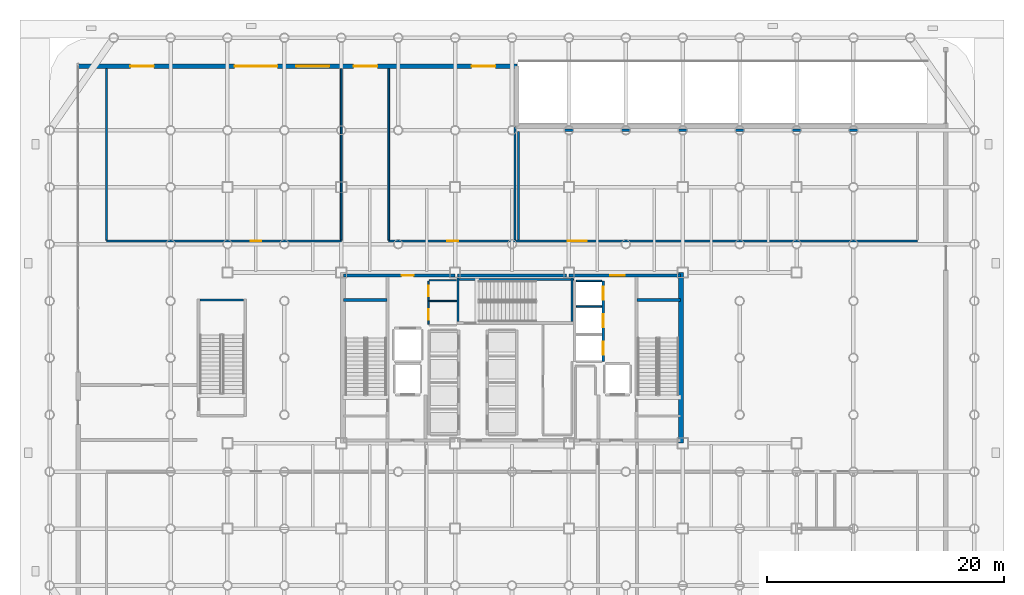
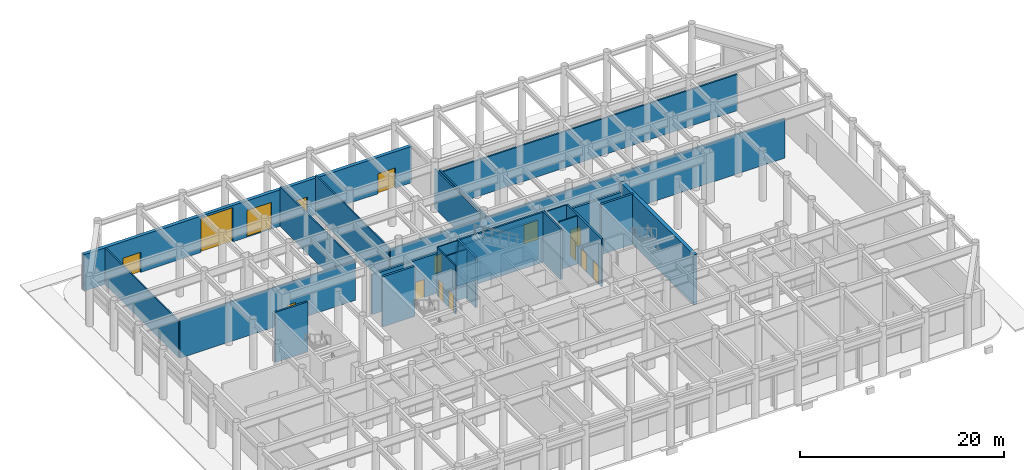
# One storey, part 18 of 23: 25 walls, 15 doors, 15 openings.
"""IFC4 building model written with IfcOpenShell, lengths in metres."""

from ifc_helpers import new_model, si_unit, direction, frame, frame_2d, origin, place, context, subcontext, project, spatial, rectangle, extrude, material, layer, layer_set, type_object, element, fill, save


model = new_model("IFC4")

# Units and contexts
model_context = context("Model", 3, precision=1e-05, world=origin(), true_north=direction((0.0, 1.0)))
body_context = subcontext(model_context, "Body", "Model", "MODEL_VIEW")
ifc_project = project(units=[si_unit("LENGTHUNIT", "METRE"), si_unit("AREAUNIT", "SQUARE_METRE"), si_unit("VOLUMEUNIT", "CUBIC_METRE"), si_unit("PLANEANGLEUNIT", "RADIAN"), si_unit("MASSUNIT", "GRAM", prefix="KILO")], contexts=[model_context])

# Site, building, storey
site_placement = place(None, origin())
site = spatial("IfcSite", under=ifc_project, at=site_placement, CompositionType="ELEMENT")
building_placement = place(site_placement, origin())
building = spatial("IfcBuilding", under=site, at=building_placement, Name="Kallvorn Hotel Tower", CompositionType="ELEMENT")
storey_placement = place(building_placement, origin())
storey = spatial("IfcBuildingStorey", under=building, at=storey_placement, Name="L00", CompositionType="ELEMENT", Elevation=0.0)

# Wall
ifc_material_1 = material(Name="Concrete C50/60", Category="concrete")
ifc_layer_1 = layer(ifc_material_1, 0.39990234375)
ifc_layer_set_1 = layer_set([ifc_layer_1], Name="WL_CORE_400")
wall_type_1 = type_object("IfcWallType", Name="WL_CORE_400", PredefinedType="SHEAR", material=ifc_layer_set_1)
wall_1_placement = place(storey_placement, frame((14.264892578125, -7.199951171875, -0.25), z_axis=(0.0, 0.0, 1.0), x_axis=(0.0, 1.0, 0.0)))
element("IfcWall", 1, at=wall_1_placement, inside=storey, type_object=wall_type_1, Name="L00 Core East Shear Wall", PredefinedType="SHEAR", context=body_context, shape_type="SweptSolid", body=[
    extrude(rectangle(XDim=14.39990234375, YDim=0.39990234375, at=frame_2d((7.199951171875, 0.0))), origin(), (0.0, 0.0, 1.0), 6.0),
])

# Wall, openings, doors
ifc_material_2 = material(Name="Fire-rated double-layer acoustic gypsum drywall EI 60")
ifc_layer_2 = layer(ifc_material_2, 0.179931640625)
ifc_layer_set_2 = layer_set([ifc_layer_2], Name="WL_CORR_180")
wall_type_2 = type_object("IfcWallType", Name="WL_CORR_180", PredefinedType="PARTITIONING", material=ifc_layer_set_2)
wall_2_placement = place(storey_placement, frame((-10.39990234375, 9.85009765625, 0.0), z_axis=(0.0, 0.0, 1.0), x_axis=(1.0, 0.0, 0.0)))
wall_2 = element("IfcWall", 2, at=wall_2_placement, inside=storey, type_object=wall_type_2, Name="L00 Observatory Express Ticketing Concourse Partition", PredefinedType="PARTITIONING", context=body_context, shape_type="SweptSolid", body=[
    extrude(rectangle(XDim=44.599853515625, YDim=0.179931640625, at=frame_2d((22.2998046875, 0.0))), origin(), (0.0, 0.0, 1.0), 4.75),
])
opening_1_placement = place(wall_2_placement, frame((15.10009765625, 0.0, 0.0)))
opening_1 = element("IfcOpeningElement", 3, at=opening_1_placement, cuts=wall_2, Name="Opening HD1", PredefinedType="OPENING", context=body_context, shape_type="SweptSolid", body=[
    extrude(rectangle(XDim=1.60009765625, YDim=2.300048828125, at=frame_2d((0.800048828125, 1.14990234375))), frame((0.0, 0.104736328125, 0.0), z_axis=(0.0, -1.0, 0.0), x_axis=(1.0, 0.0, 0.0)), (0.0, 0.0, 1.0), 0.2099609375),
])
opening_2_placement = place(wall_2_placement, frame((4.949951171875, 0.0, 0.0)))
opening_2 = element("IfcOpeningElement", 4, at=opening_2_placement, cuts=wall_2, Name="Opening SVD1", PredefinedType="OPENING", context=body_context, shape_type="SweptSolid", body=[
    extrude(rectangle(XDim=0.89990234375, YDim=2.10009765625, at=frame_2d((0.449951171875, 1.050048828125))), frame((0.0, 0.104736328125, 0.0), z_axis=(0.0, -1.0, 0.0), x_axis=(1.0, 0.0, 0.0)), (0.0, 0.0, 1.0), 0.2099609375),
])
ifc_material_3 = material(Name="Solid-core walnut veneer fire-rated timber door leaf", Category="wood")
door_type_1 = type_object("IfcDoorType", Name="DR_HALL_1600x2300", OperationType="DOUBLE_DOOR_SINGLE_SWING", PredefinedType="DOOR", material=ifc_material_3)
door_1_placement = place(opening_1_placement, origin())
door_1 = element("IfcDoor", 5, at=door_1_placement, inside=storey, type_object=door_type_1, Name="L00 Observatory Express Ticketing Concourse Door", OperationType="DOUBLE_DOOR_SINGLE_SWING", OverallHeight=2.300048828125, OverallWidth=1.60009765625, PredefinedType="DOOR", context=body_context, shape_type="SweptSolid", body=[
    extrude(rectangle(XDim=1.60009765625, YDim=2.300048828125, at=frame_2d((0.800048828125, 1.14990234375))), frame((0.0, 0.02490234375, 0.0), z_axis=(0.0, -1.0, 0.0), x_axis=(1.0, 0.0, 0.0)), (0.0, 0.0, 1.0), 0.050048828125),
])
fill(opening_1, door_1)
ifc_material_4 = material(Name="Galvanised painted steel fire-rated door assembly", Category="steel")
door_type_2 = type_object("IfcDoorType", Name="DR_SERV_900x2100", OperationType="NOTDEFINED", PredefinedType="DOOR", material=ifc_material_4)
door_2_placement = place(opening_2_placement, origin())
door_2 = element("IfcDoor", 6, at=door_2_placement, inside=storey, type_object=door_type_2, Name="L00 Luggage Concierge and Bell Desk Salon Door", OperationType="SINGLE_SWING_RIGHT", OverallHeight=2.10009765625, OverallWidth=0.89990234375, PredefinedType="DOOR", context=body_context, shape_type="SweptSolid", body=[
    extrude(rectangle(XDim=0.89990234375, YDim=2.10009765625, at=frame_2d((0.449951171875, 1.050048828125))), frame((0.0, 0.02490234375, 0.0), z_axis=(0.0, -1.0, 0.0), x_axis=(1.0, 0.0, 0.0)), (0.0, 0.0, 1.0), 0.050048828125),
])
fill(opening_2, door_2)

# Walls
wall_3_placement = place(storey_placement, frame((0.550048828125, 19.199951171875, 0.0), z_axis=(0.0, 0.0, 1.0), x_axis=(1.0, 0.0, 0.0)))
element("IfcWall", 7, at=wall_3_placement, inside=storey, type_object=wall_type_2, Name="L00 Observatory Express Ticketing Concourse Partition", PredefinedType="PARTITIONING", context=body_context, shape_type="SweptSolid", body=[
    extrude(rectangle(XDim=33.64990234375, YDim=0.179931640625, at=frame_2d((16.824951171875, 0.0))), origin(), (0.0, 0.0, 1.0), 4.35009765625),
])
wall_4_placement = place(storey_placement, frame((0.550048828125, 9.93505859375, 0.0), z_axis=(0.0, 0.0, 1.0), x_axis=(0.0, 1.0, 0.0)))
element("IfcWall", 8, at=wall_4_placement, inside=storey, type_object=wall_type_2, Name="L00 Observatory Express Ticketing Concourse Partition", PredefinedType="PARTITIONING", context=body_context, shape_type="SweptSolid", body=[
    extrude(rectangle(XDim=9.1650390625, YDim=0.179931640625, at=frame_2d((4.58251953125, 0.0))), origin(), (0.0, 0.0, 1.0), 4.75),
])

# Wall, openings, doors
ifc_material_5 = material(Name="Precast basalt-clad insulated concrete wall C40/50", Category="masonry")
ifc_layer_3 = layer(ifc_material_5, 0.3798828125)
ifc_layer_set_3 = layer_set([ifc_layer_3], Name="WL_EXT_PODIUM_380")
wall_type_3 = type_object("IfcWallType", Name="WL_EXT_PODIUM_380", PredefinedType="SOLIDWALL", material=ifc_layer_set_3)
wall_5_placement = place(storey_placement, frame((-36.60009765625, 24.60009765625, 0.0), z_axis=(0.0, 0.0, 1.0), x_axis=(1.0, 0.0, 0.0)))
wall_5 = element("IfcWall", 9, at=wall_5_placement, inside=storey, type_object=wall_type_3, Name="L00 North Concourse and Service Wall", PredefinedType="SOLIDWALL", context=body_context, shape_type="SweptSolid", body=[
    extrude(rectangle(XDim=37.02001953125, YDim=0.3798828125, at=frame_2d((18.510009765625, 0.0))), origin(), (0.0, 0.0, 1.0), 4.35009765625),
])
opening_3_placement = place(wall_5_placement, frame((23.25, 0.0, 0.0)))
opening_3 = element("IfcOpeningElement", 10, at=opening_3_placement, cuts=wall_5, Name="Opening ED06", PredefinedType="OPENING", context=body_context, shape_type="SweptSolid", body=[
    extrude(rectangle(XDim=2.0, YDim=2.39990234375, at=frame_2d((1.0, 1.199951171875))), frame((0.0, 0.204833984375, 0.0), z_axis=(0.0, -1.0, 0.0), x_axis=(1.0, 0.0, 0.0)), (0.0, 0.0, 1.0), 0.409912109375),
])
opening_4_placement = place(wall_5_placement, frame((4.39990234375, 0.0, 0.0)))
opening_4 = element("IfcOpeningElement", 11, at=opening_4_placement, cuts=wall_5, Name="Opening ED07", PredefinedType="OPENING", context=body_context, shape_type="SweptSolid", body=[
    extrude(rectangle(XDim=2.0, YDim=2.39990234375, at=frame_2d((1.0, 1.199951171875))), frame((0.0, 0.204833984375, 0.0), z_axis=(0.0, -1.0, 0.0), x_axis=(1.0, 0.0, 0.0)), (0.0, 0.0, 1.0), 0.409912109375),
])
opening_5_placement = place(wall_5_placement, frame((33.199951171875, 0.0, 0.0)))
opening_5 = element("IfcOpeningElement", 12, at=opening_5_placement, cuts=wall_5, Name="Opening ED08", PredefinedType="OPENING", context=body_context, shape_type="SweptSolid", body=[
    extrude(rectangle(XDim=2.0, YDim=2.39990234375, at=frame_2d((1.0, 1.199951171875))), frame((0.0, 0.204833984375, 0.0), z_axis=(0.0, -1.0, 0.0), x_axis=(1.0, 0.0, 0.0)), (0.0, 0.0, 1.0), 0.409912109375),
])
opening_6_placement = place(wall_5_placement, frame((13.199951171875, 0.0, 0.0)))
opening_6 = element("IfcOpeningElement", 13, at=opening_6_placement, cuts=wall_5, Name="Opening LD01", PredefinedType="OPENING", context=body_context, shape_type="SweptSolid", body=[
    extrude(rectangle(XDim=3.60009765625, YDim=4.10009765625, at=frame_2d((1.800048828125, 2.050048828125))), frame((0.0, 0.204833984375, 0.0), z_axis=(0.0, -1.0, 0.0), x_axis=(1.0, 0.0, 0.0)), (0.0, 0.0, 1.0), 0.409912109375),
])
opening_7_placement = place(wall_5_placement, frame((18.39990234375, 0.0, 0.0)))
opening_7 = element("IfcOpeningElement", 14, at=opening_7_placement, cuts=wall_5, Name="Opening SG01", PredefinedType="OPENING", context=body_context, shape_type="SweptSolid", body=[
    extrude(rectangle(XDim=2.800048828125, YDim=3.199951171875, at=frame_2d((1.39990234375, 1.60009765625))), frame((0.0, 0.204833984375, 0.0), z_axis=(0.0, -1.0, 0.0), x_axis=(1.0, 0.0, 0.0)), (0.0, 0.0, 1.0), 0.409912109375),
])
ifc_material_6 = material(Name="Thermally broken black-anodised aluminium AA 6063-T6", Category="aluminium")
door_type_3 = type_object("IfcDoorType", Name="DR_EXIT_DBL_2000x2400", OperationType="DOUBLE_DOOR_SINGLE_SWING", PredefinedType="DOOR", material=ifc_material_6)
door_3_placement = place(opening_3_placement, origin())
door_3 = element("IfcDoor", 15, at=door_3_placement, inside=storey, type_object=door_type_3, Name="Ground Floor North Exit Door ED06", OperationType="DOUBLE_DOOR_SINGLE_SWING", OverallHeight=2.39990234375, OverallWidth=2.0, PredefinedType="DOOR", context=body_context, shape_type="SweptSolid", body=[
    extrude(rectangle(XDim=2.0, YDim=2.39990234375, at=frame_2d((1.0, 1.199951171875))), frame((0.0, 0.02490234375, 0.0), z_axis=(0.0, -1.0, 0.0), x_axis=(1.0, 0.0, 0.0)), (0.0, 0.0, 1.0), 0.050048828125),
])
fill(opening_3, door_3)
door_4_placement = place(opening_4_placement, origin())
door_4 = element("IfcDoor", 16, at=door_4_placement, inside=storey, type_object=door_type_3, Name="Ground Floor North Exit Door ED07", OperationType="DOUBLE_DOOR_SINGLE_SWING", OverallHeight=2.39990234375, OverallWidth=2.0, PredefinedType="DOOR", context=body_context, shape_type="SweptSolid", body=[
    extrude(rectangle(XDim=2.0, YDim=2.39990234375, at=frame_2d((1.0, 1.199951171875))), frame((0.0, 0.02490234375, 0.0), z_axis=(0.0, -1.0, 0.0), x_axis=(1.0, 0.0, 0.0)), (0.0, 0.0, 1.0), 0.050048828125),
])
fill(opening_4, door_4)
door_5_placement = place(opening_5_placement, origin())
door_5 = element("IfcDoor", 17, at=door_5_placement, inside=storey, type_object=door_type_3, Name="Ground Floor North Exit Door ED08", OperationType="DOUBLE_DOOR_SINGLE_SWING", OverallHeight=2.39990234375, OverallWidth=2.0, PredefinedType="DOOR", context=body_context, shape_type="SweptSolid", body=[
    extrude(rectangle(XDim=2.0, YDim=2.39990234375, at=frame_2d((1.0, 1.199951171875))), frame((0.0, 0.02490234375, 0.0), z_axis=(0.0, -1.0, 0.0), x_axis=(1.0, 0.0, 0.0)), (0.0, 0.0, 1.0), 0.050048828125),
])
fill(opening_5, door_5)
ifc_material_7 = material(Name="Galvanised painted steel S275JR balustrade", Category="steel")
door_type_4 = type_object("IfcDoorType", Name="GT_LOAD_3600x4200", OperationType="ROLLINGUP", PredefinedType="GATE", material=ifc_material_7)
door_6_placement = place(opening_6_placement, origin())
door_6 = element("IfcDoor", 18, at=door_6_placement, inside=storey, type_object=door_type_4, Name="Service Loading Bay Roller Shutter Gate LD01", OperationType="ROLLINGUP", OverallHeight=4.10009765625, OverallWidth=3.60009765625, PredefinedType="GATE", context=body_context, shape_type="SweptSolid", body=[
    extrude(rectangle(XDim=3.60009765625, YDim=4.10009765625, at=frame_2d((1.800048828125, 2.050048828125))), frame((0.0, 0.02490234375, 0.0), z_axis=(0.0, -1.0, 0.0), x_axis=(1.0, 0.0, 0.0)), (0.0, 0.0, 1.0), 0.050048828125),
])
fill(opening_6, door_6)
ifc_material_8 = material(Name="Galvanised painted steel S275JR balustrade", Category="steel")
door_type_5 = type_object("IfcDoorType", Name="GT_SERV_2800x3200", OperationType="ROLLINGUP", PredefinedType="GATE", material=ifc_material_8)
door_7_placement = place(opening_7_placement, origin())
door_7 = element("IfcDoor", 19, at=door_7_placement, inside=storey, type_object=door_type_5, Name="Refuse and Linen Bay Roller Gate SG01", OperationType="ROLLINGUP", OverallHeight=3.199951171875, OverallWidth=2.800048828125, PredefinedType="GATE", context=body_context, shape_type="SweptSolid", body=[
    extrude(rectangle(XDim=2.800048828125, YDim=3.199951171875, at=frame_2d((1.39990234375, 1.60009765625))), frame((0.0, 0.02490234375, 0.0), z_axis=(0.0, -1.0, 0.0), x_axis=(1.0, 0.0, 0.0)), (0.0, 0.0, 1.0), 0.050048828125),
])
fill(opening_7, door_7)

# Walls
ifc_material_9 = material(Name="Concrete C40/50", Category="concrete")
ifc_layer_4 = layer(ifc_material_9, 0.199951171875)
ifc_layer_set_4 = layer_set([ifc_layer_4], Name="WL_HOIST_200")
wall_type_4 = type_object("IfcWallType", Name="WL_HOIST_200", PredefinedType="SOLIDWALL", material=ifc_layer_set_4)
wall_6_placement = place(storey_placement, frame((-4.64990234375, 6.610107421875, -0.25), z_axis=(0.0, 0.0, 1.0), x_axis=(1.0, 0.0, 0.0)))
element("IfcWall", 20, at=wall_6_placement, inside=storey, type_object=wall_type_4, Name="L00 Stair ST3 Shaft North Wall", PredefinedType="SOLIDWALL", context=body_context, shape_type="SweptSolid", body=[
    extrude(rectangle(XDim=9.89990234375, YDim=0.199951171875, at=frame_2d((4.949951171875, 0.0))), origin(), (0.0, 0.0, 1.0), 6.0),
])
for number, where, z_axis, x_axis, name in (
    (21, (-4.550048828125, 3.080078125, -0.25), (0.0, 0.0, 1.0), (0.0, 1.0, 0.0), "L00 Stair ST3 West Wall"),
    (22, (5.06005859375, 3.080078125, -0.25), (0.0, 0.0, 1.0), (0.0, 1.0, 0.0), "L00 Stair ST3 East Wall"),
):
    element("IfcWall", number, at=place(storey_placement, frame(where, z_axis=z_axis, x_axis=x_axis)), inside=storey, type_object=wall_type_4, Name=name, PredefinedType="SOLIDWALL", context=body_context, shape_type="SweptSolid", body=[
        extrude(rectangle(XDim=3.739990234375, YDim=0.199951171875, at=frame_2d((1.8701171875, 0.0))), origin(), (0.0, 0.0, 1.0), 6.0),
    ])
wall_7_placement = place(storey_placement, frame((-26.31005859375, 4.8798828125, -0.25), z_axis=(0.0, 0.0, 1.0), x_axis=(1.0, 0.0, 0.0)))
element("IfcWall", 23, at=wall_7_placement, inside=storey, type_object=wall_type_4, Name="L00 Podium Exit Stair ST4 North Wall", PredefinedType="SOLIDWALL", context=body_context, shape_type="SweptSolid", body=[
    extrude(rectangle(XDim=3.68017578125, YDim=0.199951171875, at=frame_2d((1.840087890625, 0.0))), origin(), (0.0, 0.0, 1.0), 6.0),
])

# Wall, openings, doors
wall_8_placement = place(storey_placement, frame((7.699951171875, -0.300048828125, 0.0), z_axis=(0.0, 0.0, 1.0), x_axis=(0.0, 1.0, 0.0)))
wall_8 = element("IfcWall", 24, at=wall_8_placement, inside=storey, type_object=wall_type_4, Name="L00 Lift Bank OBS Landing Wall", PredefinedType="SOLIDWALL", context=body_context, shape_type="SweptSolid", body=[
    extrude(rectangle(XDim=6.800048828125, YDim=0.199951171875, at=frame_2d((3.39990234375, 0.0))), origin(), (0.0, 0.0, 1.0), 5.75),
])
opening_8_placement = place(wall_8_placement, frame((0.550048828125, 0.0, 0.0)))
opening_8 = element("IfcOpeningElement", 25, at=opening_8_placement, cuts=wall_8, Name="Opening LD-OB-01", PredefinedType="OPENING", context=body_context, shape_type="SweptSolid", body=[
    extrude(rectangle(XDim=1.10009765625, YDim=2.199951171875, at=frame_2d((0.550048828125, 1.10009765625))), frame((0.0, 0.114990234375, 0.0), z_axis=(0.0, -1.0, 0.0), x_axis=(1.0, 0.0, 0.0)), (0.0, 0.0, 1.0), 0.22998046875),
])
opening_9_placement = place(wall_8_placement, frame((2.89990234375, 0.0, 0.0)))
opening_9 = element("IfcOpeningElement", 26, at=opening_9_placement, cuts=wall_8, Name="Opening LD-OB-02", PredefinedType="OPENING", context=body_context, shape_type="SweptSolid", body=[
    extrude(rectangle(XDim=1.10009765625, YDim=2.199951171875, at=frame_2d((0.550048828125, 1.10009765625))), frame((0.0, 0.114990234375, 0.0), z_axis=(0.0, -1.0, 0.0), x_axis=(1.0, 0.0, 0.0)), (0.0, 0.0, 1.0), 0.22998046875),
])
opening_10_placement = place(wall_8_placement, frame((5.199951171875, 0.0, 0.0)))
opening_10 = element("IfcOpeningElement", 27, at=opening_10_placement, cuts=wall_8, Name="Opening LD-OB-03", PredefinedType="OPENING", context=body_context, shape_type="SweptSolid", body=[
    extrude(rectangle(XDim=1.10009765625, YDim=2.199951171875, at=frame_2d((0.550048828125, 1.10009765625))), frame((0.0, 0.114990234375, 0.0), z_axis=(0.0, -1.0, 0.0), x_axis=(1.0, 0.0, 0.0)), (0.0, 0.0, 1.0), 0.22998046875),
])
ifc_material_10 = material(Name="Brushed stainless-steel automatic sliding lift landing door", Category="steel")
door_type_6 = type_object("IfcDoorType", Name="LD_PASS_1100x2200", OperationType="SLIDING_TO_LEFT", PredefinedType="DOOR", material=ifc_material_10)
door_8_placement = place(opening_8_placement, origin())
door_8 = element("IfcDoor", 28, at=door_8_placement, inside=storey, type_object=door_type_6, Name="L00 Lift Landing Sliding Door LD-OB-01", OperationType="SLIDING_TO_LEFT", OverallHeight=2.199951171875, OverallWidth=1.10009765625, PredefinedType="DOOR", context=body_context, shape_type="SweptSolid", body=[
    extrude(rectangle(XDim=1.10009765625, YDim=2.199951171875, at=frame_2d((0.550048828125, 1.10009765625))), frame((0.0, 0.02490234375, 0.0), z_axis=(0.0, -1.0, 0.0), x_axis=(1.0, 0.0, 0.0)), (0.0, 0.0, 1.0), 0.050048828125),
])
fill(opening_8, door_8)
door_9_placement = place(opening_9_placement, origin())
door_9 = element("IfcDoor", 29, at=door_9_placement, inside=storey, type_object=door_type_6, Name="L00 Lift Landing Sliding Door LD-OB-02", OperationType="SLIDING_TO_LEFT", OverallHeight=2.199951171875, OverallWidth=1.10009765625, PredefinedType="DOOR", context=body_context, shape_type="SweptSolid", body=[
    extrude(rectangle(XDim=1.10009765625, YDim=2.199951171875, at=frame_2d((0.550048828125, 1.10009765625))), frame((0.0, 0.02490234375, 0.0), z_axis=(0.0, -1.0, 0.0), x_axis=(1.0, 0.0, 0.0)), (0.0, 0.0, 1.0), 0.050048828125),
])
fill(opening_9, door_9)
door_10_placement = place(opening_10_placement, origin())
door_10 = element("IfcDoor", 30, at=door_10_placement, inside=storey, type_object=door_type_6, Name="L00 Lift Landing Sliding Door LD-OB-03", OperationType="SLIDING_TO_LEFT", OverallHeight=2.199951171875, OverallWidth=1.10009765625, PredefinedType="DOOR", context=body_context, shape_type="SweptSolid", body=[
    extrude(rectangle(XDim=1.10009765625, YDim=2.199951171875, at=frame_2d((0.550048828125, 1.10009765625))), frame((0.0, 0.02490234375, 0.0), z_axis=(0.0, -1.0, 0.0), x_axis=(1.0, 0.0, 0.0)), (0.0, 0.0, 1.0), 0.050048828125),
])
fill(opening_10, door_10)

# Walls
ifc_material_11 = material(Name="Fire-rated double-layer acoustic gypsum drywall EI 60")
ifc_layer_5 = layer(ifc_material_11, 0.1201171875)
ifc_layer_set_5 = layer_set([ifc_layer_5], Name="WL_INT_120")
wall_type_5 = type_object("IfcWallType", Name="WL_INT_120", PredefinedType="PARTITIONING", material=ifc_layer_set_5)
for number, where, z_axis, x_axis, name in (
    (31, (5.43994140625, 4.324951171875, 0.0), (0.0, 0.0, 1.0), (1.0, 0.0, 0.0), "L00 OB-02 Hoistway Divider"),
    (32, (5.43994140625, 6.5, 0.0), (0.0, 0.0, 1.0), (1.0, 0.0, 0.0), "L00 OB-03 Hoistway Divider"),
):
    element("IfcWall", number, at=place(storey_placement, frame(where, z_axis=z_axis, x_axis=x_axis)), inside=storey, type_object=wall_type_5, Name=name, PredefinedType="PARTITIONING", context=body_context, shape_type="SweptSolid", body=[
        extrude(rectangle(XDim=2.1201171875, YDim=0.1201171875, at=frame_2d((1.06005859375, 0.0))), origin(), (0.0, 0.0, 1.0), 5.75),
    ])
wall_9_placement = place(storey_placement, frame((-7.0, 4.800048828125, 0.0), z_axis=(0.0, 0.0, 1.0), x_axis=(1.0, 0.0, 0.0)))
element("IfcWall", 33, at=wall_9_placement, inside=storey, type_object=wall_type_5, Name="L00 Core Ice and Vending Pantry Partition", PredefinedType="PARTITIONING", context=body_context, shape_type="SweptSolid", body=[
    extrude(rectangle(XDim=2.35009765625, YDim=0.1201171875, at=frame_2d((1.175048828125, 0.0))), origin(), (0.0, 0.0, 1.0), 5.75),
])
wall_10_placement = place(storey_placement, frame((-7.0, 6.550048828125, 0.0), z_axis=(0.0, 0.0, 1.0), x_axis=(1.0, 0.0, 0.0)))
element("IfcWall", 34, at=wall_10_placement, inside=storey, type_object=wall_type_5, Name="L00 Core Linen Supply Closet Partition", PredefinedType="PARTITIONING", context=body_context, shape_type="SweptSolid", body=[
    extrude(rectangle(XDim=2.31005859375, YDim=0.1201171875, at=frame_2d((1.155029296875, 0.0))), origin(), (0.0, 0.0, 1.0), 5.75),
])

# Wall, openings, doors
wall_11_placement = place(storey_placement, frame((-7.033203125, 2.8349609375, 0.0), z_axis=(0.0, 0.0, 1.0), x_axis=(0.0, 1.0, 0.0)))
wall_11 = element("IfcWall", 35, at=wall_11_placement, inside=storey, type_object=wall_type_5, Name="L00 Core Ice and Vending Pantry Partition", PredefinedType="PARTITIONING", context=body_context, shape_type="SweptSolid", body=[
    extrude(rectangle(XDim=3.630126953125, YDim=0.1201171875, at=frame_2d((1.81494140625, 0.0))), origin(), (0.0, 0.0, 1.0), 5.75),
])
opening_11_placement = place(wall_11_placement, frame((0.364990234375, 0.0, 0.0)))
opening_11 = element("IfcOpeningElement", 36, at=opening_11_placement, cuts=wall_11, Name="Opening SVD1", PredefinedType="OPENING", context=body_context, shape_type="SweptSolid", body=[
    extrude(rectangle(XDim=0.89990234375, YDim=2.10009765625, at=frame_2d((0.449951171875, 1.050048828125))), frame((0.0, 0.074951171875, 0.0), z_axis=(0.0, -1.0, 0.0), x_axis=(1.0, 0.0, 0.0)), (0.0, 0.0, 1.0), 0.150146484375),
])
opening_12_placement = place(wall_11_placement, frame((2.364990234375, 0.0, 0.0)))
opening_12 = element("IfcOpeningElement", 37, at=opening_12_placement, cuts=wall_11, Name="Opening SVD1", PredefinedType="OPENING", context=body_context, shape_type="SweptSolid", body=[
    extrude(rectangle(XDim=0.89990234375, YDim=2.10009765625, at=frame_2d((0.449951171875, 1.050048828125))), frame((0.0, 0.074951171875, 0.0), z_axis=(0.0, -1.0, 0.0), x_axis=(1.0, 0.0, 0.0)), (0.0, 0.0, 1.0), 0.150146484375),
])
door_11_placement = place(opening_11_placement, origin())
door_11 = element("IfcDoor", 38, at=door_11_placement, inside=storey, type_object=door_type_2, Name="L00 Core Ice and Vending Pantry Door", OperationType="SINGLE_SWING_LEFT", OverallHeight=2.10009765625, OverallWidth=0.89990234375, PredefinedType="DOOR", context=body_context, shape_type="SweptSolid", body=[
    extrude(rectangle(XDim=0.89990234375, YDim=2.10009765625, at=frame_2d((0.449951171875, 1.050048828125))), frame((0.0, 0.02490234375, 0.0), z_axis=(0.0, -1.0, 0.0), x_axis=(1.0, 0.0, 0.0)), (0.0, 0.0, 1.0), 0.050048828125),
])
fill(opening_11, door_11)
door_12_placement = place(opening_12_placement, origin())
door_12 = element("IfcDoor", 39, at=door_12_placement, inside=storey, type_object=door_type_2, Name="L00 Core Linen Supply Closet Door", OperationType="SINGLE_SWING_LEFT", OverallHeight=2.10009765625, OverallWidth=0.89990234375, PredefinedType="DOOR", context=body_context, shape_type="SweptSolid", body=[
    extrude(rectangle(XDim=0.89990234375, YDim=2.10009765625, at=frame_2d((0.449951171875, 1.050048828125))), frame((0.0, 0.02490234375, 0.0), z_axis=(0.0, -1.0, 0.0), x_axis=(1.0, 0.0, 0.0)), (0.0, 0.0, 1.0), 0.050048828125),
])
fill(opening_12, door_12)

# Wall, opening, door
ifc_material_12 = material(Name="Fire-rated double-layer acoustic gypsum drywall EI 60")
ifc_layer_6 = layer(ifc_material_12, 0.14990234375)
ifc_layer_set_6 = layer_set([ifc_layer_6], Name="WL_PART_150")
wall_type_6 = type_object("IfcWallType", Name="WL_PART_150", PredefinedType="PARTITIONING", material=ifc_layer_set_6)
wall_12_placement = place(storey_placement, frame((-34.199951171875, 9.85009765625, 0.0), z_axis=(0.0, 0.0, 1.0), x_axis=(1.0, 0.0, 0.0)))
wall_12 = element("IfcWall", 40, at=wall_12_placement, inside=storey, type_object=wall_type_6, Name="L00 Covered Service Loading Bay and Refuse Room Partition", PredefinedType="PARTITIONING", context=body_context, shape_type="SweptSolid", body=[
    extrude(rectangle(XDim=19.800048828125, YDim=0.14990234375, at=frame_2d((9.89990234375, 0.0))), origin(), (0.0, 0.0, 1.0), 4.75),
])
opening_13_placement = place(wall_12_placement, frame((12.14990234375, 0.0, 0.0)))
opening_13 = element("IfcOpeningElement", 41, at=opening_13_placement, cuts=wall_12, Name="Opening SVD1", PredefinedType="OPENING", context=body_context, shape_type="SweptSolid", body=[
    extrude(rectangle(XDim=0.89990234375, YDim=2.10009765625, at=frame_2d((0.449951171875, 1.050048828125))), frame((0.0, 0.08984375, 0.0), z_axis=(0.0, -1.0, 0.0), x_axis=(1.0, 0.0, 0.0)), (0.0, 0.0, 1.0), 0.179931640625),
])
door_13_placement = place(opening_13_placement, origin())
door_13 = element("IfcDoor", 42, at=door_13_placement, inside=storey, type_object=door_type_2, Name="L00 Covered Service Loading Bay and Refuse Room Door", OperationType="SINGLE_SWING_RIGHT", OverallHeight=2.10009765625, OverallWidth=0.89990234375, PredefinedType="DOOR", context=body_context, shape_type="SweptSolid", body=[
    extrude(rectangle(XDim=0.89990234375, YDim=2.10009765625, at=frame_2d((0.449951171875, 1.050048828125))), frame((0.0, 0.02490234375, 0.0), z_axis=(0.0, -1.0, 0.0), x_axis=(1.0, 0.0, 0.0)), (0.0, 0.0, 1.0), 0.050048828125),
])
fill(opening_13, door_13)

# Walls
wall_13_placement = place(storey_placement, frame((-34.199951171875, 9.93505859375, 0.0), z_axis=(0.0, 0.0, 1.0), x_axis=(0.0, 1.0, 0.0)))
element("IfcWall", 43, at=wall_13_placement, inside=storey, type_object=wall_type_6, Name="L00 Covered Service Loading Bay and Refuse Room Partition", PredefinedType="PARTITIONING", context=body_context, shape_type="SweptSolid", body=[
    extrude(rectangle(XDim=14.46484375, YDim=0.14990234375, at=frame_2d((7.232421875, 0.0))), origin(), (0.0, 0.0, 1.0), 4.35009765625),
])
for number, where, z_axis, x_axis, name in (
    (44, (-14.39990234375, 9.93505859375, 0.0), (0.0, 0.0, 1.0), (0.0, 1.0, 0.0), "L00 Covered Service Loading Bay and Refuse Room Partition"),
    (45, (-10.39990234375, 9.93505859375, 0.0), (0.0, 0.0, 1.0), (0.0, 1.0, 0.0), "L00 Luggage Concierge and Bell Desk Salon Partition"),
):
    element("IfcWall", number, at=place(storey_placement, frame(where, z_axis=z_axis, x_axis=x_axis)), inside=storey, type_object=wall_type_6, Name=name, PredefinedType="PARTITIONING", context=body_context, shape_type="SweptSolid", body=[
        extrude(rectangle(XDim=14.46484375, YDim=0.14990234375, at=frame_2d((7.232421875, 0.0))), origin(), (0.0, 0.0, 1.0), 4.75),
    ])
wall_14_placement = place(storey_placement, frame((0.25, 9.93505859375, 0.0), z_axis=(0.0, 0.0, 1.0), x_axis=(0.0, 1.0, 0.0)))
element("IfcWall", 46, at=wall_14_placement, inside=storey, type_object=wall_type_6, Name="L00 Luggage Concierge and Bell Desk Salon Partition", PredefinedType="PARTITIONING", context=body_context, shape_type="SweptSolid", body=[
    extrude(rectangle(XDim=9.574951171875, YDim=0.14990234375, at=frame_2d((4.78759765625, 0.0))), origin(), (0.0, 0.0, 1.0), 4.75),
])

# Wall, opening, door
ifc_material_13 = material(Name="Concrete C40/50", Category="concrete")
ifc_layer_7 = layer(ifc_material_13, 0.25)
ifc_layer_set_7 = layer_set([ifc_layer_7], Name="WL_SHAFT_250")
wall_type_7 = type_object("IfcWallType", Name="WL_SHAFT_250", PredefinedType="SOLIDWALL", material=ifc_layer_set_7)
wall_15_placement = place(storey_placement, frame((-14.199951171875, 6.949951171875, 0.0), z_axis=(0.0, 0.0, 1.0), x_axis=(1.0, 0.0, 0.0)))
wall_15 = element("IfcWall", 47, at=wall_15_placement, inside=storey, type_object=wall_type_7, Name="L00 Core North-West Wall", PredefinedType="SOLIDWALL", context=body_context, shape_type="SweptSolid", body=[
    extrude(rectangle(XDim=9.39990234375, YDim=0.25, at=frame_2d((4.699951171875, 0.0))), origin(), (0.0, 0.0, 1.0), 4.75),
])
opening_14_placement = place(wall_15_placement, frame((4.89990234375, 0.0, 0.0)))
opening_14 = element("IfcOpeningElement", 48, at=opening_14_placement, cuts=wall_15, Name="Opening FD1", PredefinedType="OPENING", context=body_context, shape_type="SweptSolid", body=[
    extrude(rectangle(XDim=1.0, YDim=2.14990234375, at=frame_2d((0.5, 1.074951171875))), frame((0.0, 0.139892578125, 0.0), z_axis=(0.0, -1.0, 0.0), x_axis=(1.0, 0.0, 0.0)), (0.0, 0.0, 1.0), 0.280029296875),
])
ifc_material_14 = material(Name="Galvanised painted steel fire-rated door assembly", Category="steel")
door_type_7 = type_object("IfcDoorType", Name="DR_FFL_1000x2150", OperationType="NOTDEFINED", PredefinedType="DOOR", material=ifc_material_14)
door_14_placement = place(opening_14_placement, origin())
door_14 = element("IfcDoor", 49, at=door_14_placement, inside=storey, type_object=door_type_7, Name="L00 Service Lift Lobby Door", OperationType="SINGLE_SWING_LEFT", OverallHeight=2.14990234375, OverallWidth=1.0, PredefinedType="DOOR", context=body_context, shape_type="SweptSolid", body=[
    extrude(rectangle(XDim=1.0, YDim=2.14990234375, at=frame_2d((0.5, 1.074951171875))), frame((0.0, 0.02490234375, 0.0), z_axis=(0.0, -1.0, 0.0), x_axis=(1.0, 0.0, 0.0)), (0.0, 0.0, 1.0), 0.050048828125),
])
fill(opening_14, door_14)

# Wall
wall_16_placement = place(storey_placement, frame((-4.60009765625, 6.949951171875, 0.0), z_axis=(0.0, 0.0, 1.0), x_axis=(1.0, 0.0, 0.0)))
element("IfcWall", 50, at=wall_16_placement, inside=storey, type_object=wall_type_7, Name="L00 Core North-Central Wall", PredefinedType="SOLIDWALL", context=body_context, shape_type="SweptSolid", body=[
    extrude(rectangle(XDim=9.2001953125, YDim=0.25, at=frame_2d((4.60009765625, 0.0))), origin(), (0.0, 0.0, 1.0), 4.75),
])

# Wall, opening, door
wall_17_placement = place(storey_placement, frame((4.800048828125, 6.949951171875, 0.0), z_axis=(0.0, 0.0, 1.0), x_axis=(1.0, 0.0, 0.0)))
wall_17 = element("IfcWall", 51, at=wall_17_placement, inside=storey, type_object=wall_type_7, Name="L00 Core North-East Wall", PredefinedType="SOLIDWALL", context=body_context, shape_type="SweptSolid", body=[
    extrude(rectangle(XDim=9.39990234375, YDim=0.25, at=frame_2d((4.699951171875, 0.0))), origin(), (0.0, 0.0, 1.0), 4.75),
])
opening_15_placement = place(wall_17_placement, frame((3.5, 0.0, 0.0)))
opening_15 = element("IfcOpeningElement", 52, at=opening_15_placement, cuts=wall_17, Name="Opening FD2", PredefinedType="OPENING", context=body_context, shape_type="SweptSolid", body=[
    extrude(rectangle(XDim=1.199951171875, YDim=2.199951171875, at=frame_2d((0.60009765625, 1.10009765625))), frame((0.0, 0.139892578125, 0.0), z_axis=(0.0, -1.0, 0.0), x_axis=(1.0, 0.0, 0.0)), (0.0, 0.0, 1.0), 0.280029296875),
])
ifc_material_15 = material(Name="Galvanised painted steel fire-rated door assembly", Category="steel")
door_type_8 = type_object("IfcDoorType", Name="DR_LOBBY_1200x2200", OperationType="DOUBLE_DOOR_SINGLE_SWING", PredefinedType="DOOR", material=ifc_material_15)
door_15_placement = place(opening_15_placement, origin())
door_15 = element("IfcDoor", 53, at=door_15_placement, inside=storey, type_object=door_type_8, Name="L00 Observatory Shuttle Lobby Door", OperationType="DOUBLE_DOOR_SINGLE_SWING", OverallHeight=2.199951171875, OverallWidth=1.199951171875, PredefinedType="DOOR", context=body_context, shape_type="SweptSolid", body=[
    extrude(rectangle(XDim=1.199951171875, YDim=2.199951171875, at=frame_2d((0.60009765625, 1.10009765625))), frame((0.0, 0.02490234375, 0.0), z_axis=(0.0, -1.0, 0.0), x_axis=(1.0, 0.0, 0.0)), (0.0, 0.0, 1.0), 0.050048828125),
])
fill(opening_15, door_15)

# Walls
for number, where, z_axis, x_axis, name in (
    (54, (-14.199951171875, 4.89990234375, -0.25), (0.0, 0.0, 1.0), (1.0, 0.0, 0.0), "L00 Stair ST1 North Wall"),
    (55, (10.550048828125, 4.89990234375, -0.25), (0.0, 0.0, 1.0), (1.0, 0.0, 0.0), "L00 Stair ST2 North Wall"),
):
    element("IfcWall", number, at=place(storey_placement, frame(where, z_axis=z_axis, x_axis=x_axis)), inside=storey, type_object=wall_type_7, Name=name, PredefinedType="SOLIDWALL", context=body_context, shape_type="SweptSolid", body=[
        extrude(rectangle(XDim=3.64990234375, YDim=0.25, at=frame_2d((1.824951171875, 0.0))), origin(), (0.0, 0.0, 1.0), 6.0),
    ])

save(model, "model.ifc")
